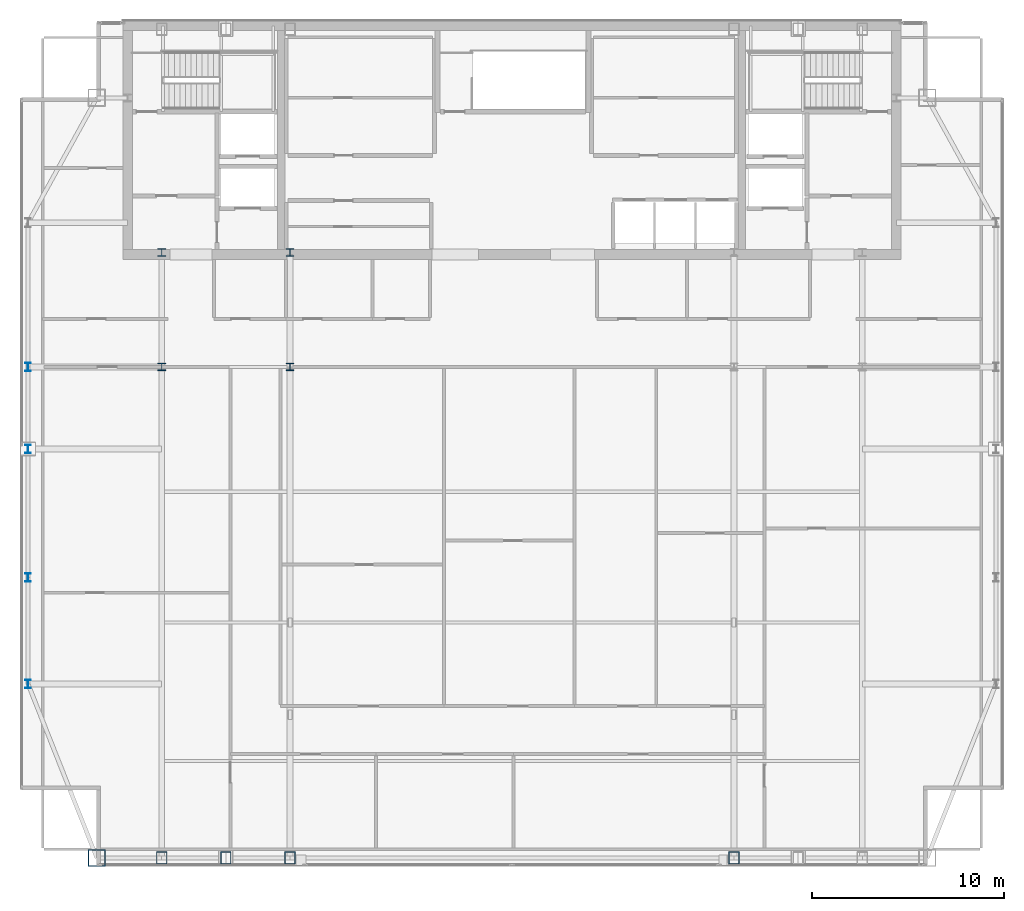
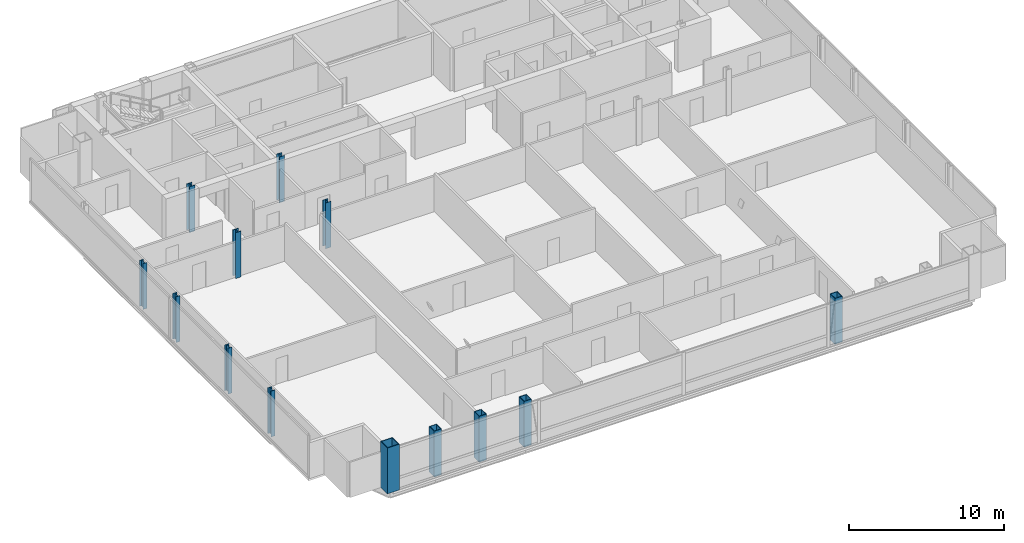
# One storey, part 1 of 24: 13 columns.
"""IFC4 building model written with IfcOpenShell, lengths in metres."""

from ifc_helpers import new_model, si_unit, direction, frame, origin, origin_2d, place, context, subcontext, project, spatial, hollow_rectangle, i_section, extrude, material, material_profile, profile_set, type_object, element, save


model = new_model("IFC4")

# Units and contexts
model_context = context("Model", 3, precision=1e-05, world=origin(), true_north=direction((0.0, 1.0)))
body_context = subcontext(model_context, "Body", "Model", "MODEL_VIEW")
ifc_project = project(units=[si_unit("LENGTHUNIT", "METRE"), si_unit("AREAUNIT", "SQUARE_METRE"), si_unit("VOLUMEUNIT", "CUBIC_METRE"), si_unit("PLANEANGLEUNIT", "RADIAN"), si_unit("MASSUNIT", "GRAM", prefix="KILO")], contexts=[model_context])

# Site, building, storey
site_placement = place(None, origin())
site = spatial("IfcSite", under=ifc_project, at=site_placement, CompositionType="ELEMENT")
building_placement = place(site_placement, origin())
building = spatial("IfcBuilding", under=site, at=building_placement, Name="Khoronbel Lancet Exchange", CompositionType="ELEMENT")
storey_placement = place(building_placement, frame((0.0, 0.0, 347.0)))
storey = spatial("IfcBuildingStorey", under=building, at=storey_placement, Name="L90", CompositionType="ELEMENT", Elevation=347.0)

# Columns
ifc_material_1 = material(Name="Steel S460", Category="steel")
ifc_material_profile_1 = material_profile(ifc_material_1, hollow_rectangle(XDim=0.550048828125, YDim=0.64990234375, WallThickness=0.0400390625, at=origin_2d()), Name="BOX 650x550x40")
ifc_profile_set_1 = profile_set([ifc_material_profile_1], Name="Steel S460")
column_type_1 = type_object("IfcColumnType", Name="COL-EC4", PredefinedType="COLUMN", material=ifc_profile_set_1)
for number, where, z_axis, x_axis, name in (
    (1, (18.22509765625, 10.14990234375, 0.0), (0.0, 0.0, 1.0), (1.0, 0.0, 0.0), "Structural column SC-W1 L90"),
    (2, (21.5625, 10.14990234375, 0.0), (0.0, 0.0, 1.0), (1.0, 0.0, 0.0), "Structural column SC-WM L90"),
    (3, (24.89990234375, 10.14990234375, 0.0), (0.0, 0.0, 1.0), (1.0, 0.0, 0.0), "Structural column SC-W2 L90"),
    (4, (48.0, 10.14990234375, 0.0), (0.0, 0.0, 1.0), (1.0, 0.0, 0.0), "Structural column SC-E1 L90"),
):
    element("IfcColumn", number, at=place(storey_placement, frame(where, z_axis=z_axis, x_axis=x_axis)), inside=storey, type_object=column_type_1, Name=name, PredefinedType="COLUMN", context=body_context, shape_type="SweptSolid", body=[
        extrude(hollow_rectangle(XDim=0.550048828125, YDim=0.64990234375, WallThickness=0.0400390625, at=origin_2d()), origin(), (0.0, 0.0, 1.0), 3.60009765625),
    ])
ifc_material_2 = material(Name="Steel S355", Category="steel")
ifc_material_profile_2 = material_profile(ifc_material_2, i_section(OverallWidth=0.39892578125, OverallDepth=0.39306640625, WebThickness=0.022705078125, FlangeThickness=0.03662109375, at=origin_2d()), Name="HD 400x287")
ifc_profile_set_2 = profile_set([ifc_material_profile_2], Name="Steel S355")
column_type_2 = type_object("IfcColumnType", Name="COL-IC4", PredefinedType="COLUMN", material=ifc_profile_set_2)
for number, where, z_axis, x_axis, name in (
    (5, (18.22509765625, 35.699951171875, 0.0), (0.0, 0.0, 1.0), (1.0, 0.0, 0.0), "Spine gravity column TC1 L90"),
    (6, (18.22509765625, 41.64990234375, 0.0), (0.0, 0.0, 1.0), (1.0, 0.0, 0.0), "Core-embedded steel column CTC1 L90"),
    (7, (24.89990234375, 35.699951171875, 0.0), (0.0, 0.0, 1.0), (1.0, 0.0, 0.0), "Spine gravity column TC2 L90"),
    (8, (24.89990234375, 41.64990234375, 0.0), (0.0, 0.0, 1.0), (1.0, 0.0, 0.0), "Core-embedded steel column CTC2 L90"),
):
    element("IfcColumn", number, at=place(storey_placement, frame(where, z_axis=z_axis, x_axis=x_axis)), inside=storey, type_object=column_type_2, Name=name, PredefinedType="COLUMN", context=body_context, shape_type="SweptSolid", body=[
        extrude(i_section(OverallWidth=0.39892578125, OverallDepth=0.39306640625, WebThickness=0.022705078125, FlangeThickness=0.03662109375, at=origin_2d()), origin(), (0.0, 0.0, 1.0), 3.60009765625),
    ])
ifc_material_profile_3 = material_profile(ifc_material_2, i_section(OverallWidth=0.300048828125, OverallDepth=0.449951171875, WebThickness=0.013916015625, FlangeThickness=0.02587890625, at=origin_2d()), Name="HEB 450")
ifc_profile_set_3 = profile_set([ifc_material_profile_3], Name="Steel S355")
column_type_3 = type_object("IfcColumnType", Name="COL-LC2", PredefinedType="COLUMN", material=ifc_profile_set_3)
for number, where, z_axis, x_axis, name in (
    (9, (11.27001953125, 19.199951171875, 0.0), (0.0, 0.0, 1.0), (1.0, 0.0, 0.0), "Structural column WC-1 L90"),
    (10, (11.27001953125, 24.75, 0.0), (0.0, 0.0, 1.0), (1.0, 0.0, 0.0), "Structural column WC-2 L90"),
    (11, (11.27001953125, 31.425048828125, 0.0), (0.0, 0.0, 1.0), (1.0, 0.0, 0.0), "Structural column WC-M L90"),
    (12, (11.27001953125, 35.699951171875, 0.0), (0.0, 0.0, 1.0), (1.0, 0.0, 0.0), "Structural column WC-3 L90"),
):
    element("IfcColumn", number, at=place(storey_placement, frame(where, z_axis=z_axis, x_axis=x_axis)), inside=storey, type_object=column_type_3, Name=name, PredefinedType="COLUMN", context=body_context, shape_type="SweptSolid", body=[
        extrude(i_section(OverallWidth=0.300048828125, OverallDepth=0.449951171875, WebThickness=0.013916015625, FlangeThickness=0.02587890625, at=origin_2d()), origin(), (0.0, 0.0, 1.0), 3.60009765625),
    ])
ifc_material_profile_4 = material_profile(ifc_material_1, hollow_rectangle(XDim=0.89990234375, YDim=0.89990234375, WallThickness=0.050048828125, at=origin_2d()), Name="BOX 900x900x50")
ifc_profile_set_4 = profile_set([ifc_material_profile_4], Name="Steel S460")
column_type_4 = type_object("IfcColumnType", Name="COL-MC7", PredefinedType="COLUMN", material=ifc_profile_set_4)
column_placement = place(storey_placement, frame((14.85009765625, 10.14990234375, 0.0), z_axis=(0.0, 0.0, 1.0), x_axis=(1.0, 0.0, 0.0)))
element("IfcColumn", 13, at=column_placement, inside=storey, type_object=column_type_4, Name="Structural column MC-SW L90", PredefinedType="COLUMN", context=body_context, shape_type="SweptSolid", body=[
    extrude(hollow_rectangle(XDim=0.89990234375, YDim=0.89990234375, WallThickness=0.050048828125, at=origin_2d()), origin(), (0.0, 0.0, 1.0), 3.60009765625),
])

save(model, "model.ifc")
